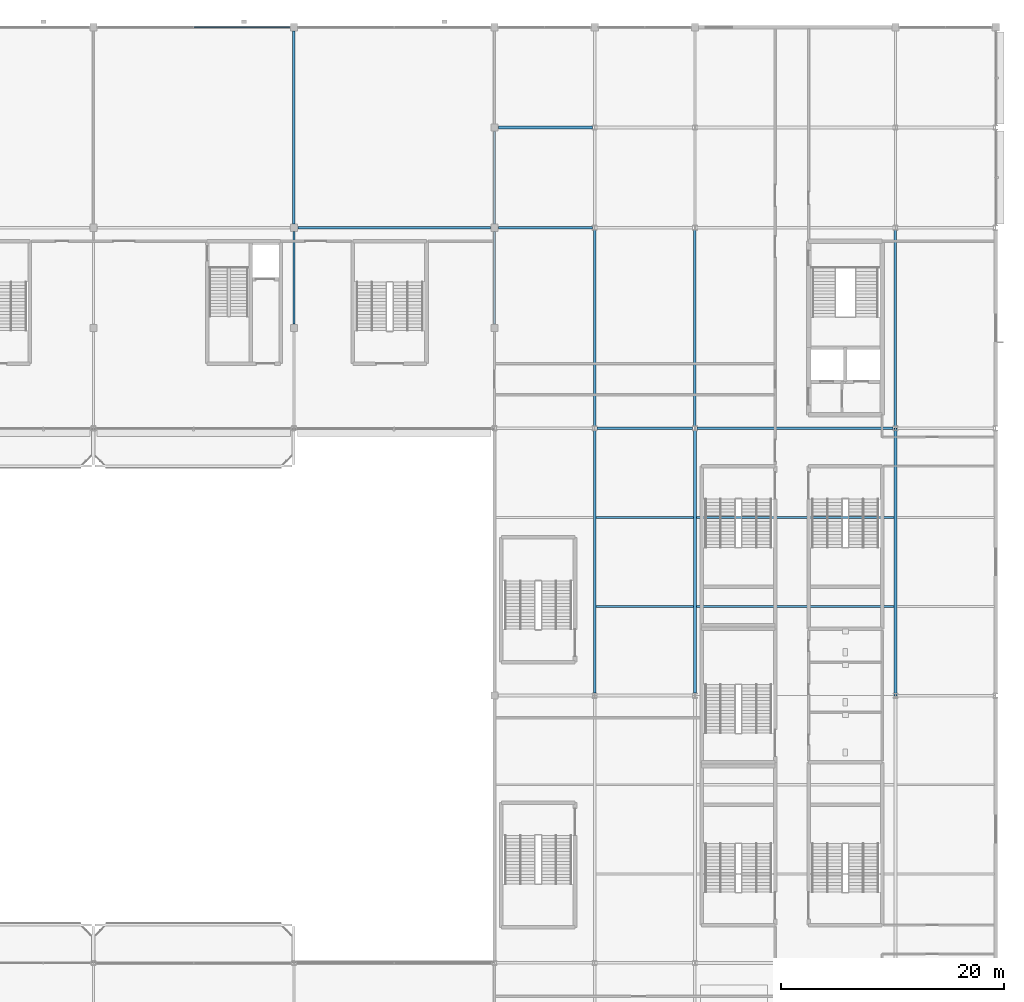
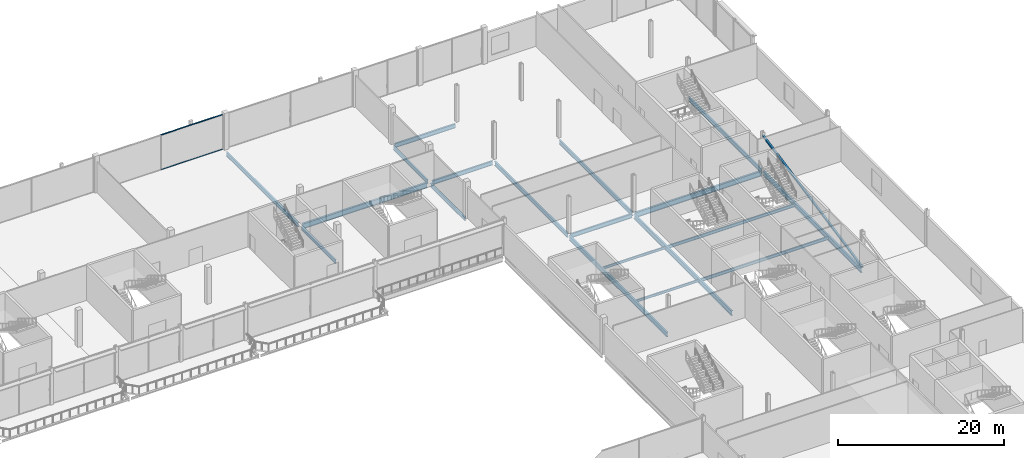
# One storey, part 55 of 113: 19 beams, 3 members, 1 element without a shape of its own.
"""IFC4 building model written with IfcOpenShell, lengths in metres."""

from ifc_helpers import new_model, si_unit, direction, frame, origin, origin_2d, place, context, subcontext, project, spatial, rectangle, hollow_rectangle, i_section, extrude, material, layer, layer_set, material_profile, profile_set, type_object, element, aggregate, save


model = new_model("IFC4")

# Units and contexts
model_context = context("Model", 3, precision=1e-05, world=origin(), true_north=direction((0.0, 1.0)))
body_context = subcontext(model_context, "Body", "Model", "MODEL_VIEW")
ifc_project = project(units=[si_unit("LENGTHUNIT", "METRE"), si_unit("AREAUNIT", "SQUARE_METRE"), si_unit("VOLUMEUNIT", "CUBIC_METRE"), si_unit("PLANEANGLEUNIT", "RADIAN"), si_unit("MASSUNIT", "GRAM", prefix="KILO")], contexts=[model_context])

# Site, building, storey
site_placement = place(None, origin())
site = spatial("IfcSite", under=ifc_project, at=site_placement, CompositionType="ELEMENT")
building_placement = place(site_placement, origin())
building = spatial("IfcBuilding", under=site, at=building_placement, Name="Kisiwana Market Hall", CompositionType="ELEMENT")
storey_placement = place(building_placement, frame((0.0, 0.0, 6.0)))
storey = spatial("IfcBuildingStorey", under=building, at=storey_placement, Name="L01", CompositionType="ELEMENT", Elevation=6.0)

# Beams
ifc_material_1 = material(Name="Steel S355", Category="steel")
ifc_material_profile_1 = material_profile(ifc_material_1, i_section(OverallWidth=0.209228515625, OverallDepth=0.533203125, WebThickness=0.010009765625, FlangeThickness=0.015625, at=origin_2d()), Name="UB 533x210x92")
ifc_profile_set_1 = profile_set([ifc_material_profile_1], Name="Steel S355")
beam_type_1 = type_object("IfcBeamType", Name="BM-GIRD-UB533", PredefinedType="BEAM", material=ifc_profile_set_1)
for number, where, z_axis, x_axis, name in (
    (1, (135.0, 93.345947265625, -0.5166015625), (0.0, 1.0, 0.0), (-1.0, 0.0, 0.0), "Primary girder B-0389"),
    (2, (153.0, 93.345947265625, -0.5166015625), (0.0, 1.0, 0.0), (-1.0, 0.0, 0.0), "Primary girder B-0396"),
    (3, (153.0, 102.345947265625, -0.5166015625), (0.0, 1.0, 0.0), (-1.0, 0.0, 0.0), "Primary girder B-0397"),
):
    element("IfcBeam", number, at=place(storey_placement, frame(where, z_axis=z_axis, x_axis=x_axis)), inside=storey, type_object=beam_type_1, Name=name, PredefinedType="BEAM", context=body_context, shape_type="SweptSolid", body=[
        extrude(i_section(OverallWidth=0.209228515625, OverallDepth=0.533203125, WebThickness=0.010009765625, FlangeThickness=0.015625, at=origin_2d()), origin(), (0.0, 0.0, 1.0), 8.30810546875),
    ])
ifc_material_2 = material(Name="Steel S355", Category="steel")
ifc_material_profile_2 = material_profile(ifc_material_2, i_section(OverallWidth=0.22900390625, OverallDepth=0.6123046875, WebThickness=0.011962890625, FlangeThickness=0.01953125, at=origin_2d()), Name="UB 610x229x125")
ifc_profile_set_2 = profile_set([ifc_material_profile_2], Name="Steel S355")
beam_type_2 = type_object("IfcBeamType", Name="BM-GIRD-UB610H", PredefinedType="BEAM", material=ifc_profile_set_2)
beam_1_placement = place(storey_placement, frame((162.201904296875, 84.0, -0.55615234375), z_axis=(1.0, 0.0, 0.0), x_axis=(0.0, 1.0, 0.0)))
element("IfcBeam", 4, at=beam_1_placement, inside=storey, type_object=beam_type_2, Name="Floor beam B-0516", PredefinedType="BEAM", context=body_context, shape_type="SweptSolid", body=[
    extrude(i_section(OverallWidth=0.22900390625, OverallDepth=0.6123046875, WebThickness=0.011962890625, FlangeThickness=0.01953125, at=origin_2d()), origin(), (0.0, 0.0, 1.0), 8.59619140625),
])
beam_2_placement = place(storey_placement, frame((153.345947265625, 102.0, -0.55615234375), z_axis=(1.0, 0.0, 0.0), x_axis=(0.0, 1.0, 0.0)))
element("IfcBeam", 5, at=beam_2_placement, inside=storey, type_object=beam_type_2, Name="Floor beam B-0529", PredefinedType="BEAM", context=body_context, shape_type="SweptSolid", body=[
    extrude(i_section(OverallWidth=0.22900390625, OverallDepth=0.6123046875, WebThickness=0.011962890625, FlangeThickness=0.01953125, at=origin_2d()), origin(), (0.0, 0.0, 1.0), 8.4521484375),
])
beam_3_placement = place(storey_placement, frame((153.345947265625, 111.0, -0.55615234375), z_axis=(1.0, 0.0, 0.0), x_axis=(0.0, 1.0, 0.0)))
element("IfcBeam", 6, at=beam_3_placement, inside=storey, type_object=beam_type_2, Name="Floor beam B-0537", PredefinedType="BEAM", context=body_context, shape_type="SweptSolid", body=[
    extrude(i_section(OverallWidth=0.22900390625, OverallDepth=0.6123046875, WebThickness=0.011962890625, FlangeThickness=0.01953125, at=origin_2d()), origin(), (0.0, 0.0, 1.0), 8.45654296875),
])
beam_4_placement = place(storey_placement, frame((135.0, 102.345947265625, -0.55615234375), z_axis=(0.0, 1.0, 0.0), x_axis=(-1.0, 0.0, 0.0)))
element("IfcBeam", 7, at=beam_4_placement, inside=storey, type_object=beam_type_2, Name="Primary girder B-0390", PredefinedType="BEAM", context=body_context, shape_type="SweptSolid", body=[
    extrude(i_section(OverallWidth=0.22900390625, OverallDepth=0.6123046875, WebThickness=0.011962890625, FlangeThickness=0.01953125, at=origin_2d()), origin(), (0.0, 0.0, 1.0), 17.30810546875),
])
for number, where, z_axis, x_axis, name in (
    (8, (162.0, 84.21337890625, -0.55615234375), (0.0, 1.0, 0.0), (-1.0, 0.0, 0.0), "Primary girder B-0404"),
    (9, (171.0, 84.21337890625, -0.55615234375), (0.0, 1.0, 0.0), (-1.0, 0.0, 0.0), "Primary girder B-0410"),
    (10, (189.0, 84.21337890625, -0.55615234375), (0.0, 1.0, 0.0), (-1.0, 0.0, 0.0), "Primary girder B-0418"),
):
    element("IfcBeam", number, at=place(storey_placement, frame(where, z_axis=z_axis, x_axis=x_axis)), inside=storey, type_object=beam_type_2, Name=name, PredefinedType="BEAM", context=body_context, shape_type="SweptSolid", body=[
        extrude(i_section(OverallWidth=0.22900390625, OverallDepth=0.6123046875, WebThickness=0.011962890625, FlangeThickness=0.01953125, at=origin_2d()), origin(), (0.0, 0.0, 1.0), 17.5732421875),
    ])
ifc_material_3 = material(Name="Steel S355", Category="steel")
ifc_material_profile_3 = material_profile(ifc_material_3, i_section(OverallWidth=0.253662109375, OverallDepth=0.68359375, WebThickness=0.012451171875, FlangeThickness=0.01904296875, at=origin_2d()), Name="UB 686x254x140")
ifc_profile_set_3 = profile_set([ifc_material_profile_3], Name="Steel S355")
beam_type_3 = type_object("IfcBeamType", Name="BM-GIRD-UB686", PredefinedType="BEAM", material=ifc_profile_set_3)
for number, where, z_axis, x_axis, name in (
    (11, (171.0, 60.21337890625, -0.591796875), (0.0, 1.0, 0.0), (-1.0, 0.0, 0.0), "Floor beam B-0570"),
    (12, (162.0, 60.21337890625, -0.591796875), (0.0, 1.0, 0.0), (-1.0, 0.0, 0.0), "Primary girder B-0403"),
    (13, (189.0, 60.21337890625, -0.591796875), (0.0, 1.0, 0.0), (-1.0, 0.0, 0.0), "Primary girder B-0417"),
):
    element("IfcBeam", number, at=place(storey_placement, frame(where, z_axis=z_axis, x_axis=x_axis)), inside=storey, type_object=beam_type_3, Name=name, PredefinedType="BEAM", context=body_context, shape_type="SweptSolid", body=[
        extrude(i_section(OverallWidth=0.253662109375, OverallDepth=0.68359375, WebThickness=0.012451171875, FlangeThickness=0.01904296875, at=origin_2d()), origin(), (0.0, 0.0, 1.0), 23.5732421875),
    ])
ifc_material_4 = material(Name="Steel S355", Category="steel")
ifc_material_profile_4 = material_profile(ifc_material_4, i_section(OverallWidth=0.2666015625, OverallDepth=0.76220703125, WebThickness=0.014404296875, FlangeThickness=0.021484375, at=origin_2d()), Name="UB 762x267x173")
ifc_profile_set_4 = profile_set([ifc_material_profile_4], Name="Steel S355")
beam_type_4 = type_object("IfcBeamType", Name="BM-GIRD-UB762", PredefinedType="BEAM", material=ifc_profile_set_4)
beam_5_placement = place(storey_placement, frame((171.201904296875, 84.0, -0.631103515625), z_axis=(1.0, 0.0, 0.0), x_axis=(0.0, 1.0, 0.0)))
element("IfcBeam", 14, at=beam_5_placement, inside=storey, type_object=beam_type_4, Name="Floor beam B-0517", PredefinedType="BEAM", context=body_context, shape_type="SweptSolid", body=[
    extrude(i_section(OverallWidth=0.2666015625, OverallDepth=0.76220703125, WebThickness=0.014404296875, FlangeThickness=0.021484375, at=origin_2d()), origin(), (0.0, 0.0, 1.0), 17.59619140625),
])
beam_6_placement = place(storey_placement, frame((135.345947265625, 102.0, -0.631103515625), z_axis=(1.0, 0.0, 0.0), x_axis=(0.0, 1.0, 0.0)))
element("IfcBeam", 15, at=beam_6_placement, inside=storey, type_object=beam_type_4, Name="Floor beam B-0528", PredefinedType="BEAM", context=body_context, shape_type="SweptSolid", body=[
    extrude(i_section(OverallWidth=0.2666015625, OverallDepth=0.76220703125, WebThickness=0.014404296875, FlangeThickness=0.021484375, at=origin_2d()), origin(), (0.0, 0.0, 1.0), 17.30810546875),
])
ifc_material_5 = material(Name="Steel S355", Category="steel")
ifc_material_profile_5 = material_profile(ifc_material_5, i_section(OverallWidth=0.17138671875, OverallDepth=0.35498046875, WebThickness=0.00732421875, FlangeThickness=0.011474609375, at=origin_2d()), Name="UB 356x171x51")
ifc_profile_set_5 = profile_set([ifc_material_profile_5], Name="Steel S355")
beam_type_5 = type_object("IfcBeamType", Name="BM-JOIST-UB356", PredefinedType="JOIST", material=ifc_profile_set_5)
for number, where, z_axis, x_axis, name in (
    (16, (162.125732421875, 68.0, -0.427490234375), (1.0, 0.0, 0.0), (0.0, 1.0, 0.0), "Secondary floor joist B-0438"),
    (17, (162.125732421875, 76.0, -0.427490234375), (1.0, 0.0, 0.0), (0.0, 1.0, 0.0), "Secondary floor joist B-0446"),
):
    element("IfcBeam", number, at=place(storey_placement, frame(where, z_axis=z_axis, x_axis=x_axis)), inside=storey, type_object=beam_type_5, Name=name, PredefinedType="JOIST", context=body_context, shape_type="SweptSolid", body=[
        extrude(i_section(OverallWidth=0.17138671875, OverallDepth=0.35498046875, WebThickness=0.00732421875, FlangeThickness=0.011474609375, at=origin_2d()), origin(), (0.0, 0.0, 1.0), 8.74853515625),
    ])
ifc_material_6 = material(Name="Steel S355", Category="steel")
ifc_material_profile_6 = material_profile(ifc_material_6, i_section(OverallWidth=0.18994140625, OverallDepth=0.453369140625, WebThickness=0.008544921875, FlangeThickness=0.0126953125, at=origin_2d()), Name="UB 457x191x67")
ifc_profile_set_6 = profile_set([ifc_material_profile_6], Name="Steel S355")
beam_type_6 = type_object("IfcBeamType", Name="BM-JOIST-UB457", PredefinedType="JOIST", material=ifc_profile_set_6)
for number, where, z_axis, x_axis, name in (
    (18, (171.125732421875, 68.0, -0.476806640625), (1.0, 0.0, 0.0), (0.0, 1.0, 0.0), "Secondary floor joist B-0439"),
    (19, (171.125732421875, 76.0, -0.476806640625), (1.0, 0.0, 0.0), (0.0, 1.0, 0.0), "Secondary floor joist B-0447"),
):
    element("IfcBeam", number, at=place(storey_placement, frame(where, z_axis=z_axis, x_axis=x_axis)), inside=storey, type_object=beam_type_6, Name=name, PredefinedType="JOIST", context=body_context, shape_type="SweptSolid", body=[
        extrude(i_section(OverallWidth=0.18994140625, OverallDepth=0.453369140625, WebThickness=0.008544921875, FlangeThickness=0.0126953125, at=origin_2d()), origin(), (0.0, 0.0, 1.0), 17.74853515625),
    ])

# Curtain wall, members
ifc_material_7 = material(Name="Double-glazed solar-control low-E IGU", Category="glass")
ifc_layer = layer(ifc_material_7, 0.159912109375)
ifc_layer_set = layer_set([ifc_layer], Name="CW-FC-N-8100")
curtain_wall_type = type_object("IfcCurtainWallType", Name="CW-FC-N-8100", PredefinedType="USERDEFINED", material=ifc_layer_set)
curtain_wall_placement = place(storey_placement, origin())
curtain_wall = element("IfcCurtainWall", 20, at=curtain_wall_placement, inside=storey, type_object=curtain_wall_type, Name="Unitised curtain wall CW-040 (L01)", ObjectType="UNITISED CURTAIN WALL", PredefinedType="USERDEFINED")
ifc_material_8 = material(Name="Aluminium alloy 6063-T6", Category="aluminium")
ifc_material_profile_7 = material_profile(ifc_material_8, rectangle(XDim=0.1201171875, YDim=0.06005859375, at=origin_2d()), Name="ALU TRANSOM 60x120")
ifc_profile_set_7 = profile_set([ifc_material_profile_7], Name="Aluminium alloy 6063-T6")
member_type_1 = type_object("IfcMemberType", Name="CW-TRAN-60x120", PredefinedType="USERDEFINED", material=ifc_profile_set_7)
member_1_placement = place(storey_placement, frame((126.030029296875, 120.0, 0.030029296875), z_axis=(1.0, 0.0, 0.0), x_axis=(0.0, 1.0, 0.0)))
member_1 = element("IfcMember", 21, at=member_1_placement, type_object=member_type_1, Name="CW-040 transom 2.1", ObjectType="TRANSOM", PredefinedType="USERDEFINED", context=body_context, shape_type="SweptSolid", body=[
    extrude(rectangle(XDim=0.1201171875, YDim=0.06005859375, at=origin_2d()), origin(), (0.0, 0.0, 1.0), 8.5849609375),
])
member_2_placement = place(storey_placement, frame((126.030029296875, 120.0, 5.1201171875), z_axis=(1.0, 0.0, 0.0), x_axis=(0.0, 1.0, 0.0)))
member_2 = element("IfcMember", 22, at=member_2_placement, type_object=member_type_1, Name="CW-040 transom 2.2", ObjectType="TRANSOM", PredefinedType="USERDEFINED", context=body_context, shape_type="SweptSolid", body=[
    extrude(rectangle(XDim=0.1201171875, YDim=0.06005859375, at=origin_2d()), origin(), (0.0, 0.0, 1.0), 8.5849609375),
])
aggregate(curtain_wall, [member_1, member_2])

# Member
ifc_material_9 = material(Name="Steel S355", Category="steel")
ifc_material_profile_8 = material_profile(ifc_material_9, hollow_rectangle(XDim=0.25, YDim=0.25, WallThickness=0.012451171875, at=origin_2d()), Name="SHS 250x250x12.5")
ifc_profile_set_8 = profile_set([ifc_material_profile_8], Name="Steel S355")
member_type_2 = type_object("IfcMemberType", Name="MB-CBF-SHS250", PredefinedType="BRACE", material=ifc_profile_set_8)
member_3_placement = place(storey_placement, frame((189.0, 60.0, 0.0), z_axis=(0.0, 0.980185232723, 0.198083087497), x_axis=(-1.0, 0.0, 0.0)))
element("IfcMember", 23, at=member_3_placement, inside=storey, type_object=member_type_2, Name="CBF-E-S diagonal brace (L01) M-0015", PredefinedType="BRACE", context=body_context, shape_type="SweptSolid", body=[
    extrude(hollow_rectangle(XDim=0.25, YDim=0.25, WallThickness=0.012451171875, at=origin_2d()), origin(), (0.0, 0.0, 1.0), 24.485107421875),
])

save(model, "model.ifc")
